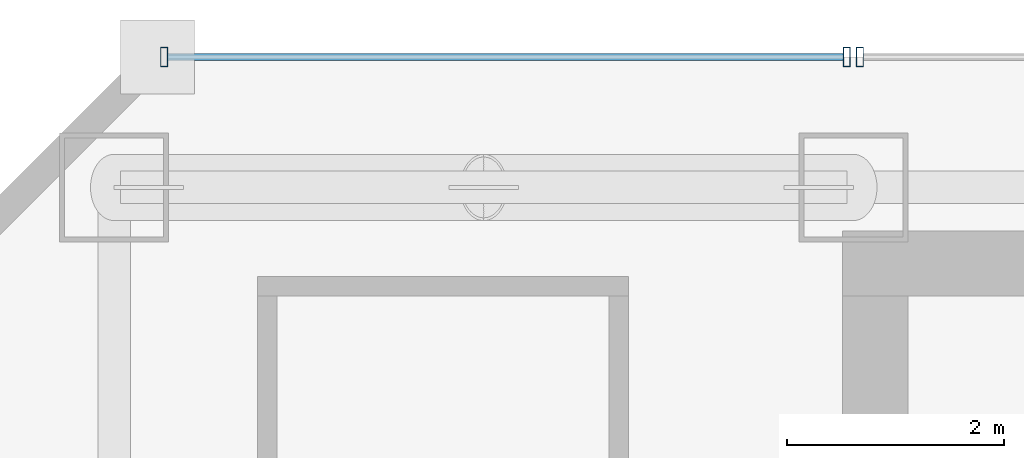
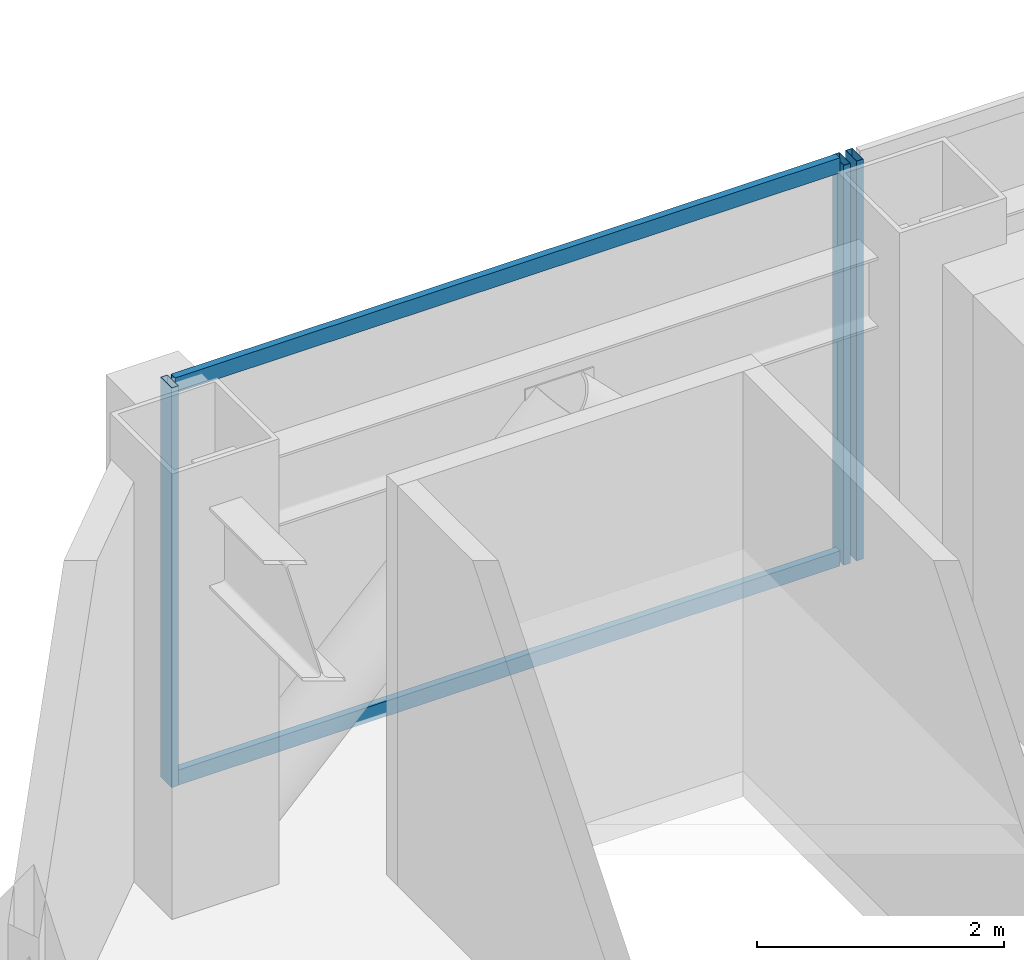
# One storey, part 21 of 36: 5 members, 2 elements without a shape of their own.
"""IFC4 building model written with IfcOpenShell, lengths in metres."""

from ifc_helpers import new_model, si_unit, direction, frame, origin, origin_2d, place, context, subcontext, project, spatial, hollow_rectangle, extrude, material, material_profile, profile_set, type_object, element, aggregate, save


model = new_model("IFC4")

# Units and contexts
model_context = context("Model", 3, precision=1e-05, world=origin(), true_north=direction((0.0, 1.0)))
body_context = subcontext(model_context, "Body", "Model", "MODEL_VIEW")
ifc_project = project(units=[si_unit("LENGTHUNIT", "METRE"), si_unit("AREAUNIT", "SQUARE_METRE"), si_unit("VOLUMEUNIT", "CUBIC_METRE"), si_unit("PLANEANGLEUNIT", "RADIAN"), si_unit("MASSUNIT", "GRAM", prefix="KILO")], contexts=[model_context])

# Site, building, storey
site_placement = place(None, origin())
site = spatial("IfcSite", under=ifc_project, at=site_placement, CompositionType="ELEMENT")
building_placement = place(site_placement, origin())
building = spatial("IfcBuilding", under=site, at=building_placement, Name="Saevonmaru Cultural Tower", CompositionType="ELEMENT")
storey_placement = place(building_placement, frame((0.0, 0.0, 119.199951171875)))
storey = spatial("IfcBuildingStorey", under=building, at=storey_placement, Name="L25", CompositionType="ELEMENT", Elevation=119.199951171875)

# Curtain wall, member
ifc_material = material(Name="Satin Bronze Anodised Aluminium", Category="aluminium")
curtain_wall_type = type_object("IfcCurtainWallType", Name="CW-TYP-A", PredefinedType="NOTDEFINED", material=ifc_material)
curtain_wall_1_placement = place(storey_placement, origin())
curtain_wall_1 = element("IfcCurtainWall", 1, at=curtain_wall_1_placement, inside=storey, type_object=curtain_wall_type, Name="L25 North Spine Unitised Curtain Wall E10B", PredefinedType="NOTDEFINED")
ifc_material_profile_1 = material_profile(ifc_material, hollow_rectangle(XDim=0.06494140625, YDim=0.179931640625, WallThickness=0.00390625, at=origin_2d()), Name="ALU-MULL-180x65x4")
ifc_profile_set_1 = profile_set([ifc_material_profile_1], Name="Satin Bronze Anodised Aluminium")
member_type_1 = type_object("IfcMemberType", Name="ML-CW-180x65", PredefinedType="MULLION", material=ifc_profile_set_1)
member_1_placement = place(storey_placement, frame((13.659912109375, 56.0, 0.0), z_axis=(0.0, 0.0, 1.0), x_axis=(-1.0, 0.0, 0.0)))
member_1 = element("IfcMember", 2, at=member_1_placement, type_object=member_type_1, Name="CW-TW-L25-E10B mullion 4", PredefinedType="MULLION", context=body_context, shape_type="SweptSolid", body=[
    extrude(hollow_rectangle(XDim=0.06494140625, YDim=0.179931640625, WallThickness=0.00390625, at=origin_2d()), origin(), (0.0, 0.0, 1.0), 3.949951171875),
])
aggregate(curtain_wall_1, [member_1])

# Curtain wall, members
curtain_wall_2_placement = place(storey_placement, origin())
curtain_wall_2 = element("IfcCurtainWall", 3, at=curtain_wall_2_placement, inside=storey, type_object=curtain_wall_type, Name="L25 West Braced Bay Spandrel Curtain Wall E10C", PredefinedType="NOTDEFINED")
member_2_placement = place(storey_placement, frame((13.5400390625, 56.0, 0.0), z_axis=(0.0, 0.0, 1.0), x_axis=(-1.0, 0.0, 0.0)))
member_2 = element("IfcMember", 4, at=member_2_placement, type_object=member_type_1, Name="CW-TW-L25-E10C mullion 1", PredefinedType="MULLION", context=body_context, shape_type="SweptSolid", body=[
    extrude(hollow_rectangle(XDim=0.06494140625, YDim=0.179931640625, WallThickness=0.00390625, at=origin_2d()), origin(), (0.0, 0.0, 1.0), 3.949951171875),
])
member_3_placement = place(storey_placement, frame((7.260009765625, 56.0, 0.0), z_axis=(0.0, 0.0, 1.0), x_axis=(-1.0, 0.0, 0.0)))
member_3 = element("IfcMember", 5, at=member_3_placement, type_object=member_type_1, Name="CW-TW-L25-E10C mullion 2", PredefinedType="MULLION", context=body_context, shape_type="SweptSolid", body=[
    extrude(hollow_rectangle(XDim=0.06494140625, YDim=0.179931640625, WallThickness=0.00390625, at=origin_2d()), origin(), (0.0, 0.0, 1.0), 3.949951171875),
])
ifc_material_profile_2 = material_profile(ifc_material, hollow_rectangle(XDim=0.06494140625, YDim=0.14990234375, WallThickness=0.00390625, at=origin_2d()), Name="ALU-TRAN-150x65x4")
ifc_profile_set_2 = profile_set([ifc_material_profile_2], Name="Satin Bronze Anodised Aluminium")
member_type_2 = type_object("IfcMemberType", Name="TR-CW-150x65", PredefinedType="USERDEFINED", material=ifc_profile_set_2)
member_4_placement = place(storey_placement, frame((13.507568359375, 56.0, 0.032470703125), z_axis=(-1.0, 0.0, 0.0), x_axis=(0.0, -1.0, 0.0)))
member_4 = element("IfcMember", 6, at=member_4_placement, type_object=member_type_2, Name="CW-TW-L25-E10C transom 1.1", ObjectType="TRANSOM", PredefinedType="USERDEFINED", context=body_context, shape_type="SweptSolid", body=[
    extrude(hollow_rectangle(XDim=0.06494140625, YDim=0.14990234375, WallThickness=0.00390625, at=origin_2d()), origin(), (0.0, 0.0, 1.0), 6.215087890625),
])
member_5_placement = place(storey_placement, frame((13.507568359375, 56.0, 3.91748046875), z_axis=(-1.0, 0.0, 0.0), x_axis=(0.0, -1.0, 0.0)))
member_5 = element("IfcMember", 7, at=member_5_placement, type_object=member_type_2, Name="CW-TW-L25-E10C transom 1.2", ObjectType="TRANSOM", PredefinedType="USERDEFINED", context=body_context, shape_type="SweptSolid", body=[
    extrude(hollow_rectangle(XDim=0.06494140625, YDim=0.14990234375, WallThickness=0.00390625, at=origin_2d()), origin(), (0.0, 0.0, 1.0), 6.215087890625),
])
aggregate(curtain_wall_2, [member_2, member_3, member_4, member_5])

save(model, "model.ifc")
